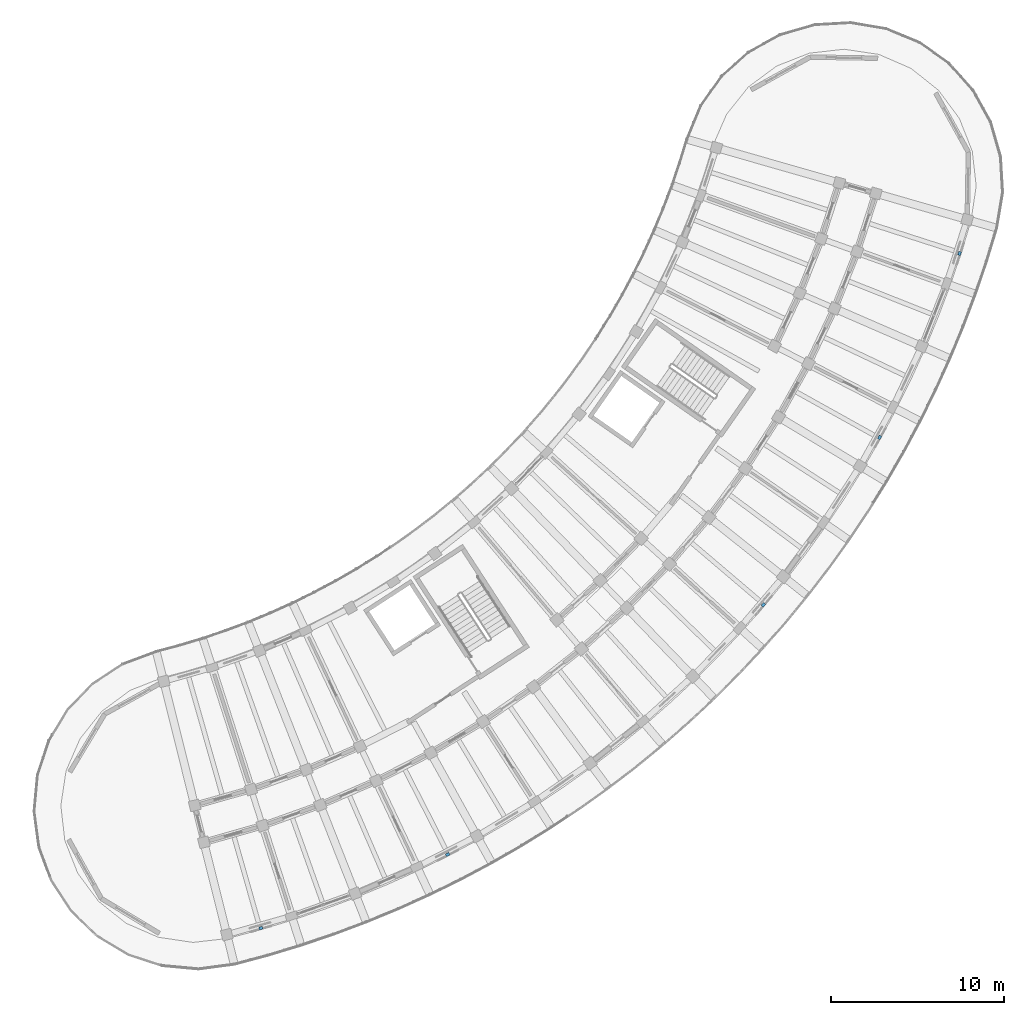
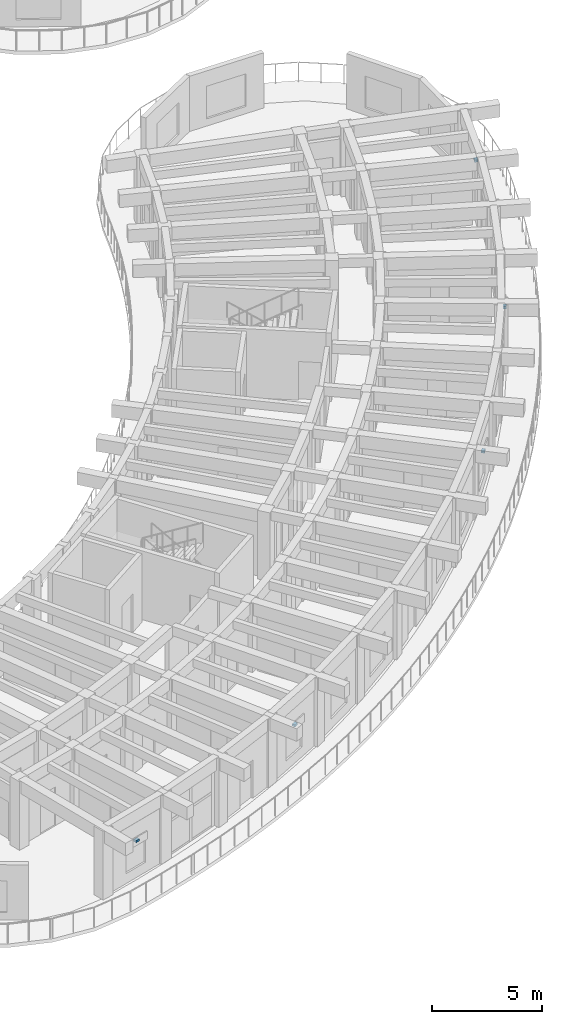
# One storey, part 105 of 128: 5 discrete accessories.
"""IFC4 building model written with IfcOpenShell, lengths in metres."""

from ifc_helpers import new_model, si_unit, direction, frame, origin, origin_2d, place, context, subcontext, project, spatial, rectangle, extrude, material, type_object, element, save


model = new_model("IFC4")

# Units and contexts
model_context = context("Model", 3, precision=1e-05, world=origin(), true_north=direction((0.0, 1.0)))
body_context = subcontext(model_context, "Body", "Model", "MODEL_VIEW")
ifc_project = project(units=[si_unit("LENGTHUNIT", "METRE"), si_unit("AREAUNIT", "SQUARE_METRE"), si_unit("VOLUMEUNIT", "CUBIC_METRE"), si_unit("PLANEANGLEUNIT", "RADIAN"), si_unit("MASSUNIT", "GRAM", prefix="KILO")], contexts=[model_context])

# Site, building, storey
site_placement = place(None, origin())
site = spatial("IfcSite", under=ifc_project, at=site_placement, CompositionType="ELEMENT")
building_placement = place(site_placement, origin())
building = spatial("IfcBuilding", under=site, at=building_placement, Name="Tanwirah Colonnade Gardens", CompositionType="ELEMENT")
storey_placement = place(building_placement, frame((0.0, 0.0, 4.760009765625)))
storey = spatial("IfcBuildingStorey", under=building, at=storey_placement, Name="L01", CompositionType="ELEMENT", Elevation=4.760009765625)

# Discrete accessories
ifc_material = material(Name="Steel S355", Category="steel")
discrete_accessory_type = type_object("IfcDiscreteAccessoryType", Name="BRK-SS1", PredefinedType="BRACKET", material=ifc_material)
for number, where, z_axis, x_axis, name in (
    (1, (137.373046875, 7.091064453125, 2.06982421875), (0.0, 0.0, 1.0), (0.961860085273, 0.273541909692, 0.0), "Solar screen support bracket D-L01-00"),
    (2, (148.17822265625, 11.347412109375, 2.159912109375), (0.0, 0.0, 1.0), (0.890014193904, 0.455932818132, 0.0), "Solar screen support bracket D-L01-03"),
    (3, (166.4501953125, 25.7939453125, 2.25), (0.0, 0.0, 1.0), (0.647786754983, 0.761821711471, 0.0), "Solar screen support bracket D-L01-09"),
    (4, (173.171875, 35.483154296875, 2.06982421875), (0.0, 0.0, 1.0), (0.486716717699, 0.873559864413, 0.0), "Solar screen support bracket D-L01-12"),
    (5, (177.802490234375, 46.13330078125, 2.159912109375), (0.0, 0.0, 1.0), (0.30694165475, 0.951728333391, 0.0), "Solar screen support bracket D-L01-15"),
):
    element("IfcDiscreteAccessory", number, at=place(storey_placement, frame(where, z_axis=z_axis, x_axis=x_axis)), inside=storey, type_object=discrete_accessory_type, Name=name, PredefinedType="BRACKET", context=body_context, shape_type="SweptSolid", body=[
        extrude(rectangle(XDim=0.219970703125, YDim=0.159912109375, at=origin_2d()), origin(), (0.0, 0.0, 1.0), 0.1201171875),
    ])

save(model, "model.ifc")
